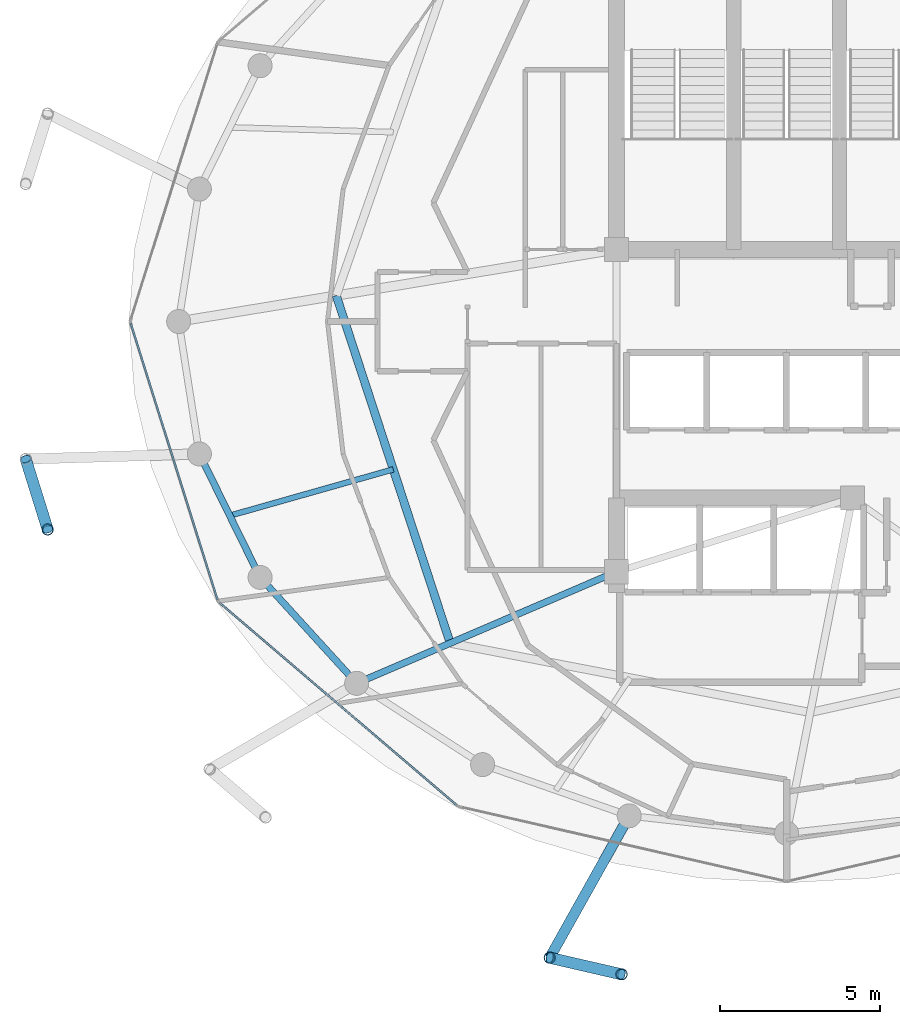
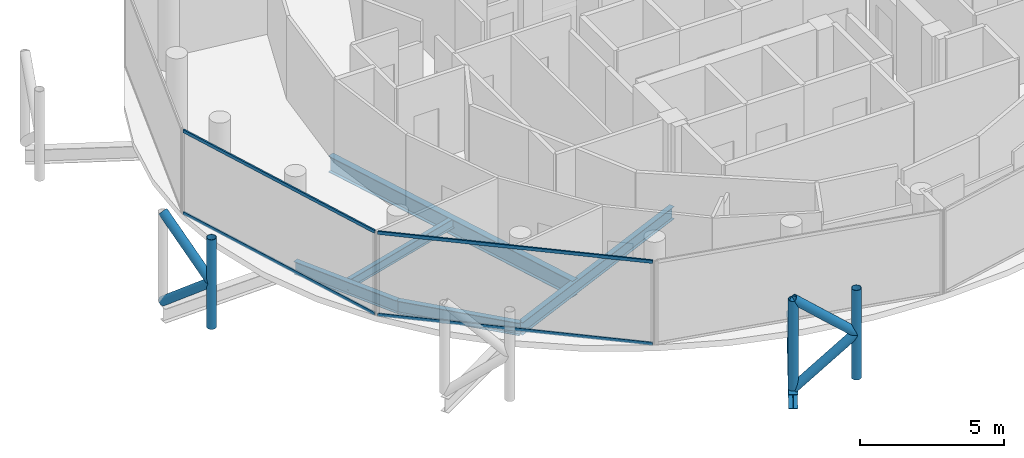
# One storey, part 3 of 24: 11 members, 6 beams, 2 elements without a shape of their own.
"""IFC4 building model written with IfcOpenShell, lengths in metres."""

from ifc_helpers import new_model, si_unit, direction, frame, origin, origin_2d, place, context, subcontext, project, spatial, hollow_rectangle, hollow_circle, i_section, extrude, material, layer, layer_set, material_profile, profile_set, type_object, element, aggregate, save


model = new_model("IFC4")

# Units and contexts
model_context = context("Model", 3, precision=1e-05, world=origin(), true_north=direction((0.0, 1.0)))
body_context = subcontext(model_context, "Body", "Model", "MODEL_VIEW")
ifc_project = project(units=[si_unit("LENGTHUNIT", "METRE"), si_unit("AREAUNIT", "SQUARE_METRE"), si_unit("VOLUMEUNIT", "CUBIC_METRE"), si_unit("PLANEANGLEUNIT", "RADIAN"), si_unit("MASSUNIT", "GRAM", prefix="KILO")], contexts=[model_context])

# Site, building, storey
site_placement = place(None, origin())
site = spatial("IfcSite", under=ifc_project, at=site_placement, CompositionType="ELEMENT")
building_placement = place(site_placement, origin())
building = spatial("IfcBuilding", under=site, at=building_placement, Name="Nuhasar Tower", CompositionType="ELEMENT")
storey_placement = place(building_placement, frame((0.0, 0.0, 270.800048828125)))
storey = spatial("IfcBuildingStorey", under=building, at=storey_placement, Name="L67", CompositionType="ELEMENT", Elevation=270.800048828125)

# Beams
ifc_material_1 = material(Name="Steel S355", Category="steel")
ifc_material_profile_1 = material_profile(ifc_material_1, i_section(OverallWidth=0.25390625, OverallDepth=0.68408203125, WebThickness=0.012451171875, FlangeThickness=0.018798828125, at=origin_2d()), Name="W27X94")
ifc_profile_set_1 = profile_set([ifc_material_profile_1], Name="Steel S355")
beam_type_1 = type_object("IfcBeamType", Name="BM-INRING-W27X94", PredefinedType="BEAM", material=ifc_profile_set_1)
beam_1_placement = place(storey_placement, frame((24.964111328125, 27.610107421875, -0.60205078125), z_axis=(0.311483801376, -0.950251462235, 0.0), x_axis=(0.950251462235, 0.311483801376, 0.0)))
element("IfcBeam", 1, at=beam_1_placement, inside=storey, type_object=beam_type_1, Name="L67 Inner Header Beam 08", PredefinedType="BEAM", context=body_context, shape_type="SweptSolid", body=[
    extrude(i_section(OverallWidth=0.25390625, OverallDepth=0.68408203125, WebThickness=0.012451171875, FlangeThickness=0.018798828125, at=origin_2d()), origin(), (0.0, 0.0, 1.0), 11.403564453125),
])
ifc_material_profile_2 = material_profile(ifc_material_1, i_section(OverallWidth=0.177978515625, OverallDepth=0.406005859375, WebThickness=0.0078125, FlangeThickness=0.0126953125, at=origin_2d()), Name="W16X40")
ifc_profile_set_2 = profile_set([ifc_material_profile_2], Name="Steel S355")
beam_type_2 = type_object("IfcBeamType", Name="BM-JST-W16X40", PredefinedType="JOIST", material=ifc_profile_set_2)
beam_2_placement = place(storey_placement, frame((26.739990234375, 22.19189453125, -0.463134765625), z_axis=(-0.962154316042, -0.272505178156, 0.0), x_axis=(0.272505178156, -0.962154316042, 0.0)))
element("IfcBeam", 2, at=beam_2_placement, inside=storey, type_object=beam_type_2, Name="L67 Secondary Floor Joist 08", PredefinedType="JOIST", context=body_context, shape_type="SweptSolid", body=[
    extrude(i_section(OverallWidth=0.177978515625, OverallDepth=0.406005859375, WebThickness=0.0078125, FlangeThickness=0.0126953125, at=origin_2d()), origin(), (0.0, 0.0, 1.0), 5.29833984375),
])
ifc_material_profile_3 = material_profile(ifc_material_1, i_section(OverallWidth=0.208984375, OverallDepth=0.528076171875, WebThickness=0.009521484375, FlangeThickness=0.01318359375, at=origin_2d()), Name="W21X55")
ifc_profile_set_3 = profile_set([ifc_material_profile_3], Name="Steel S355")
beam_type_3 = type_object("IfcBeamType", Name="BM-RAD-W21X55", PredefinedType="BEAM", material=ifc_profile_set_3)
beam_3_placement = place(storey_placement, frame((33.699951171875, 19.0, -0.524169921875), z_axis=(-0.91887119061, -0.394557644797, 0.0), x_axis=(0.394557644797, -0.91887119061, 0.0)))
element("IfcBeam", 3, at=beam_3_placement, inside=storey, type_object=beam_type_3, Name="L67 Radial Floor Girder 01", PredefinedType="BEAM", context=body_context, shape_type="SweptSolid", body=[
    extrude(i_section(OverallWidth=0.208984375, OverallDepth=0.528076171875, WebThickness=0.009521484375, FlangeThickness=0.01318359375, at=origin_2d()), origin(), (0.0, 0.0, 1.0), 8.81494140625),
])
ifc_material_profile_4 = material_profile(ifc_material_1, i_section(OverallWidth=0.2099609375, OverallDepth=0.537109375, WebThickness=0.010986328125, FlangeThickness=0.017333984375, at=origin_2d()), Name="W21X68")
ifc_profile_set_4 = profile_set([ifc_material_profile_4], Name="Steel S355")
beam_type_4 = type_object("IfcBeamType", Name="BM-RING-W21X68", PredefinedType="SPANDREL", material=ifc_profile_set_4)
beam_4_placement = place(storey_placement, frame((20.696044921875, 22.672119140625, -0.528076171875), z_axis=(0.441510561726, -0.897256052576, 0.0), x_axis=(0.897256052576, 0.441510561726, 0.0)))
element("IfcBeam", 4, at=beam_4_placement, inside=storey, type_object=beam_type_4, Name="L67 Perimeter Ring Spandrel 14", PredefinedType="SPANDREL", context=body_context, shape_type="SweptSolid", body=[
    extrude(i_section(OverallWidth=0.2099609375, OverallDepth=0.537109375, WebThickness=0.010986328125, FlangeThickness=0.017333984375, at=origin_2d()), origin(), (0.0, 0.0, 1.0), 4.28759765625),
])
beam_5_placement = place(storey_placement, frame((22.589111328125, 18.824951171875, -0.528076171875), z_axis=(0.673686302939, -0.739017432293, 0.0), x_axis=(0.739017432293, 0.673686302939, 0.0)))
element("IfcBeam", 5, at=beam_5_placement, inside=storey, type_object=beam_type_4, Name="L67 Perimeter Ring Spandrel 15", PredefinedType="SPANDREL", context=body_context, shape_type="SweptSolid", body=[
    extrude(i_section(OverallWidth=0.2099609375, OverallDepth=0.537109375, WebThickness=0.010986328125, FlangeThickness=0.017333984375, at=origin_2d()), origin(), (0.0, 0.0, 1.0), 4.469482421875),
])
ifc_material_profile_5 = material_profile(ifc_material_1, i_section(OverallWidth=0.323974609375, OverallDepth=0.611083984375, WebThickness=0.0126953125, FlangeThickness=0.01904296875, at=origin_2d()), Name="W24X104")
ifc_profile_set_5 = profile_set([ifc_material_profile_5], Name="Steel S355")
beam_type_5 = type_object("IfcBeamType", Name="BM-TIE-W24X104", PredefinedType="BEAM", material=ifc_profile_set_5)
beam_6_placement = place(storey_placement, frame((34.094970703125, 11.39306640625, -0.56494140625), z_axis=(-0.488667847762, -0.872469904675, 0.0), x_axis=(0.872469904675, -0.488667847762, 0.0)))
element("IfcBeam", 6, at=beam_6_placement, inside=storey, type_object=beam_type_5, Name="L67 Exoskeleton Node Tie Beam 09", PredefinedType="BEAM", context=body_context, shape_type="SweptSolid", body=[
    extrude(i_section(OverallWidth=0.323974609375, OverallDepth=0.611083984375, WebThickness=0.0126953125, FlangeThickness=0.01904296875, at=origin_2d()), origin(), (0.0, 0.0, 1.0), 5.072998046875),
])

# Curtain wall, members
ifc_material_2 = material(Name="Aluminium 6063-T6", Category="aluminium")
ifc_layer = layer(ifc_material_2, 0.18994140625)
ifc_layer_set = layer_set([ifc_layer], Name="Aluminium 6063-T6")
curtain_wall_type = type_object("IfcCurtainWallType", Name="CW-Z4-PEN", PredefinedType="NOTDEFINED", material=ifc_layer_set)
curtain_wall_1_placement = place(storey_placement, origin())
curtain_wall_1 = element("IfcCurtainWall", 7, at=curtain_wall_1_placement, inside=storey, type_object=curtain_wall_type, Name="L67 Unitised Curtain Wall 07", PredefinedType="NOTDEFINED")
ifc_material_profile_6 = material_profile(ifc_material_2, hollow_rectangle(XDim=0.06005859375, YDim=0.135009765625, WallThickness=0.00439453125, at=origin_2d()), Name="CWT-5")
ifc_profile_set_6 = profile_set([ifc_material_profile_6], Name="Aluminium 6063-T6")
member_type_1 = type_object("IfcMemberType", Name="CW-TRN-S5", PredefinedType="USERDEFINED", material=ifc_profile_set_6)
member_1_placement = place(storey_placement, frame((18.557861328125, 26.74267578125, 0.030029296875), z_axis=(0.29956014073, -0.954077419335, 0.0), x_axis=(0.954077419335, 0.29956014073, 0.0)))
member_1 = element("IfcMember", 8, at=member_1_placement, type_object=member_type_1, Name="CW-Z4 transom 1.1", ObjectType="TRANSOM", PredefinedType="USERDEFINED", context=body_context, shape_type="SweptSolid", body=[
    extrude(hollow_rectangle(XDim=0.06005859375, YDim=0.135009765625, WallThickness=0.00439453125, at=origin_2d()), origin(), (0.0, 0.0, 1.0), 9.0302734375),
])
member_2_placement = place(storey_placement, frame((18.557861328125, 26.74267578125, 3.510009765625), z_axis=(0.29956014073, -0.954077419335, 0.0), x_axis=(0.954077419335, 0.29956014073, 0.0)))
member_2 = element("IfcMember", 9, at=member_2_placement, type_object=member_type_1, Name="CW-Z4 transom 1.2", ObjectType="TRANSOM", PredefinedType="USERDEFINED", context=body_context, shape_type="SweptSolid", body=[
    extrude(hollow_rectangle(XDim=0.06005859375, YDim=0.135009765625, WallThickness=0.00439453125, at=origin_2d()), origin(), (0.0, 0.0, 1.0), 9.0302734375),
])
aggregate(curtain_wall_1, [member_1, member_2])

curtain_wall_2_placement = place(storey_placement, origin())
curtain_wall_2 = element("IfcCurtainWall", 10, at=curtain_wall_2_placement, inside=storey, type_object=curtain_wall_type, Name="L67 Unitised Curtain Wall 08", PredefinedType="NOTDEFINED")
member_3_placement = place(storey_placement, frame((21.32666015625, 18.031005859375, 0.030029296875), z_axis=(0.760672431431, -0.649135927261, 0.0), x_axis=(0.649135927261, 0.760672431431, 0.0)))
member_3 = element("IfcMember", 11, at=member_3_placement, type_object=member_type_1, Name="CW-Z4 transom 1.1", ObjectType="TRANSOM", PredefinedType="USERDEFINED", context=body_context, shape_type="SweptSolid", body=[
    extrude(hollow_rectangle(XDim=0.06005859375, YDim=0.135009765625, WallThickness=0.00439453125, at=origin_2d()), origin(), (0.0, 0.0, 1.0), 9.72509765625),
])
member_4_placement = place(storey_placement, frame((21.32666015625, 18.031005859375, 3.510009765625), z_axis=(0.760672431431, -0.649135927261, 0.0), x_axis=(0.649135927261, 0.760672431431, 0.0)))
member_4 = element("IfcMember", 12, at=member_4_placement, type_object=member_type_1, Name="CW-Z4 transom 1.2", ObjectType="TRANSOM", PredefinedType="USERDEFINED", context=body_context, shape_type="SweptSolid", body=[
    extrude(hollow_rectangle(XDim=0.06005859375, YDim=0.135009765625, WallThickness=0.00439453125, at=origin_2d()), origin(), (0.0, 0.0, 1.0), 9.72509765625),
])
aggregate(curtain_wall_2, [member_3, member_4])

# Members
ifc_material_3 = material(Name="Steel S460", Category="steel")
ifc_material_profile_7 = material_profile(ifc_material_3, hollow_circle(Radius=0.177734375, WallThickness=0.015869140625, at=origin_2d()), Name="HSS355.6X15.9")
ifc_profile_set_7 = profile_set([ifc_material_profile_7], Name="Steel S460")
member_type_2 = type_object("IfcMemberType", Name="EXO-BRONZE-356", PredefinedType="BRACE", material=ifc_profile_set_7)
for number, where, z_axis, x_axis, name in (
    (13, (15.967041015625, 20.319091796875, 0.0), (0.0, 0.0, 1.0), (1.0, 0.0, 0.0), "L67 Exoskeleton Chord Column EC-07B"),
    (14, (31.615966796875, 6.967041015625, 0.0), (0.0, 0.0, 1.0), (1.0, 0.0, 0.0), "L67 Exoskeleton Chord Column EC-09A"),
    (15, (33.85693359375, 6.450927734375, 0.0), (0.0, 0.0, 1.0), (1.0, 0.0, 0.0), "L67 Exoskeleton Chord Column EC-09B"),
):
    element("IfcMember", number, at=place(storey_placement, frame(where, z_axis=z_axis, x_axis=x_axis)), inside=storey, type_object=member_type_2, Name=name, PredefinedType="BRACE", context=body_context, shape_type="SweptSolid", body=[
        extrude(hollow_circle(Radius=0.177734375, WallThickness=0.015869140625, at=origin_2d()), origin(), (0.0, 0.0, 1.0), 3.800048828125),
    ])
member_5_placement = place(storey_placement, frame((15.281982421875, 22.513916015625, 0.0), z_axis=(0.229681361446, -0.735864376122, 0.636985158507), x_axis=(0.954581948223, 0.297948492404, 0.0)))
element("IfcMember", 16, at=member_5_placement, inside=storey, type_object=member_type_2, Name="L67 Bronze Diagrid Brace W1-07", PredefinedType="BRACE", context=body_context, shape_type="SweptSolid", body=[
    extrude(hollow_circle(Radius=0.177734375, WallThickness=0.015869140625, at=origin_2d()), origin(), (0.0, 0.0, 1.0), 2.982666015625),
])
for number, where, z_axis, x_axis, name in (
    (17, (15.967041015625, 20.319091796875, 1.89990234375), (-0.229669386127, 0.73582600901, 0.637033796232), (-0.954581948223, -0.297948492404, 0.0), "L67 Bronze Diagrid Brace W2-07"),
    (18, (31.615966796875, 6.967041015625, 0.0), (0.751260978137, -0.173021648086, 0.636922642103), (0.224433035437, 0.97448951385, 0.0), "L67 Bronze Diagrid Brace W1-09"),
):
    element("IfcMember", number, at=place(storey_placement, frame(where, z_axis=z_axis, x_axis=x_axis)), inside=storey, type_object=member_type_2, Name=name, PredefinedType="BRACE", context=body_context, shape_type="SweptSolid", body=[
        extrude(hollow_circle(Radius=0.177734375, WallThickness=0.015869140625, at=origin_2d()), origin(), (0.0, 0.0, 1.0), 2.98291015625),
    ])
member_6_placement = place(storey_placement, frame((33.85693359375, 6.450927734375, 1.89990234375), z_axis=(-0.751221815951, 0.173012628709, 0.636971281571), x_axis=(-0.224433035437, -0.97448951385, 0.0)))
element("IfcMember", 19, at=member_6_placement, inside=storey, type_object=member_type_2, Name="L67 Bronze Diagrid Brace W2-09", PredefinedType="BRACE", context=body_context, shape_type="SweptSolid", body=[
    extrude(hollow_circle(Radius=0.177734375, WallThickness=0.015869140625, at=origin_2d()), origin(), (0.0, 0.0, 1.0), 2.983154296875),
])

save(model, "model.ifc")
